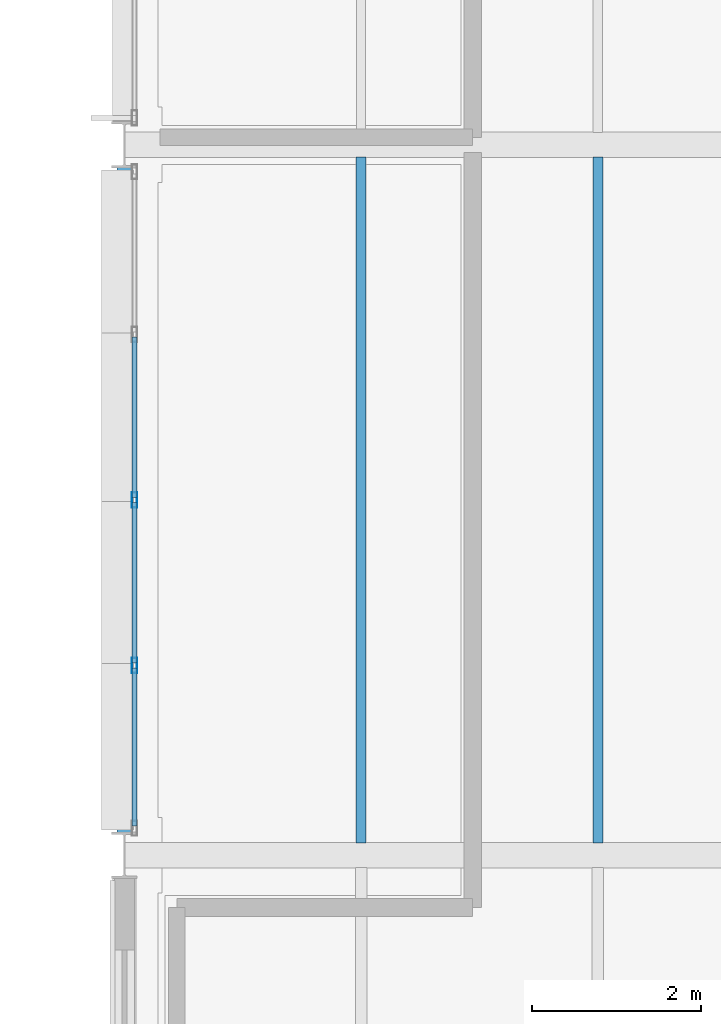
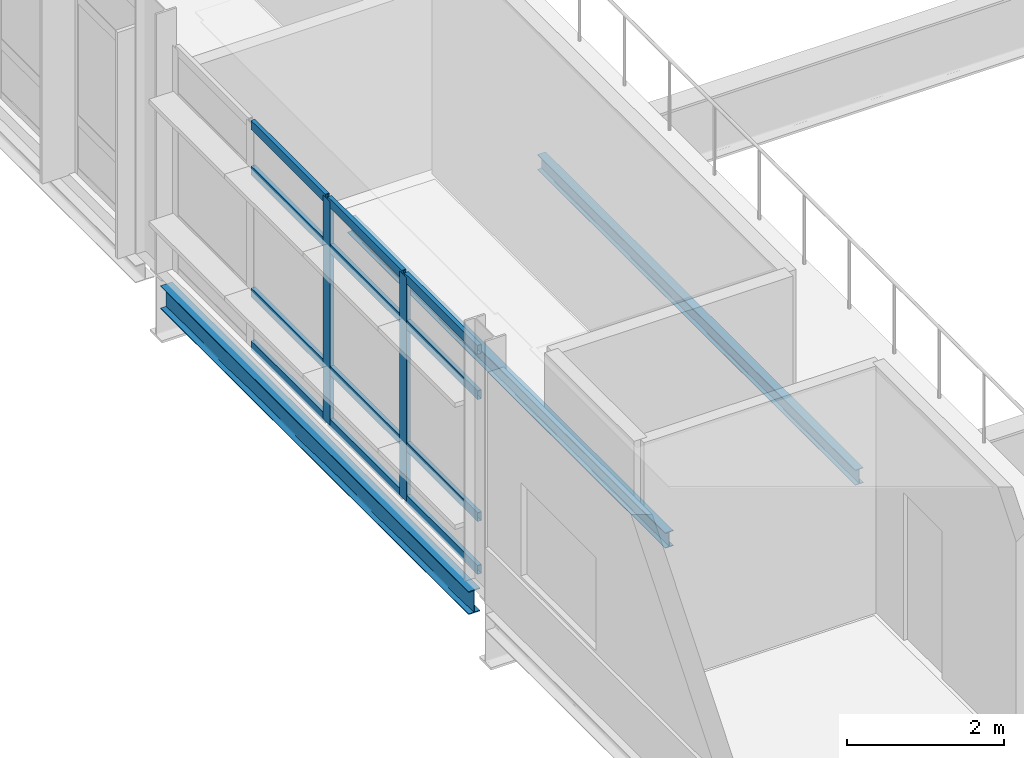
# One storey, part 21 of 131: 14 members, 3 beams, 1 element without a shape of its own.
"""IFC4 building model written with IfcOpenShell, lengths in metres."""

from ifc_helpers import new_model, si_unit, direction, frame, origin, origin_2d, place, context, subcontext, project, spatial, hollow_rectangle, i_section, extrude, material, material_profile, profile_set, type_object, element, aggregate, save


model = new_model("IFC4")

# Units and contexts
model_context = context("Model", 3, precision=1e-05, world=origin(), true_north=direction((0.0, 1.0)))
body_context = subcontext(model_context, "Body", "Model", "MODEL_VIEW")
ifc_project = project(units=[si_unit("LENGTHUNIT", "METRE"), si_unit("AREAUNIT", "SQUARE_METRE"), si_unit("VOLUMEUNIT", "CUBIC_METRE"), si_unit("PLANEANGLEUNIT", "RADIAN"), si_unit("MASSUNIT", "GRAM", prefix="KILO")], contexts=[model_context])

# Site, building, storey
site_placement = place(None, origin())
site = spatial("IfcSite", under=ifc_project, at=site_placement, CompositionType="ELEMENT")
building_placement = place(site_placement, origin())
building = spatial("IfcBuilding", under=site, at=building_placement, Name="Mersafa Astral City Hall", CompositionType="ELEMENT")
storey_placement = place(building_placement, frame((0.0, 0.0, 13.949951171875)))
storey = spatial("IfcBuildingStorey", under=building, at=storey_placement, Name="L03", CompositionType="ELEMENT", Elevation=13.949951171875)

# Curtain wall, members
ifc_material_1 = material(Name="Anodised bronze aluminium framing", Category="aluminium")
curtain_wall_type = type_object("IfcCurtainWallType", Name="ENV-CW-2", PredefinedType="USERDEFINED", material=ifc_material_1)
curtain_wall_placement = place(storey_placement, origin())
curtain_wall = element("IfcCurtainWall", 1, at=curtain_wall_placement, inside=storey, type_object=curtain_wall_type, Name="L03 Unitised solar curtain wall 187", ObjectType="UNITISED CURTAIN WALL", PredefinedType="USERDEFINED")
ifc_material_profile_1 = material_profile(ifc_material_1, hollow_rectangle(XDim=0.06005859375, YDim=0.179931640625, WallThickness=0.00390625, at=origin_2d()), Name="RHS 60x180x4")
ifc_profile_set_1 = profile_set([ifc_material_profile_1], Name="Anodised bronze aluminium framing")
member_type_1 = type_object("IfcMemberType", Name="ENV-CW-MUL-1", PredefinedType="MULLION", material=ifc_profile_set_1)
member_1_placement = place(storey_placement, frame((92.52001953125, 63.0, -0.001953125), z_axis=(0.0, 0.0, 1.0), x_axis=(1.0, 0.0, 0.0)))
member_1 = element("IfcMember", 2, at=member_1_placement, type_object=member_type_1, Name="CW-2 mullion 3", PredefinedType="MULLION", context=body_context, shape_type="SweptSolid", body=[
    extrude(hollow_rectangle(XDim=0.06005859375, YDim=0.179931640625, WallThickness=0.00390625, at=origin_2d()), origin(), (0.0, 0.0, 1.0), 3.489013671875),
])
member_2_placement = place(storey_placement, frame((92.52001953125, 61.04345703125, -0.001953125), z_axis=(0.0, 0.0, 1.0), x_axis=(1.0, 0.0, 0.0)))
member_2 = element("IfcMember", 3, at=member_2_placement, type_object=member_type_1, Name="CW-2 mullion 4", PredefinedType="MULLION", context=body_context, shape_type="SweptSolid", body=[
    extrude(hollow_rectangle(XDim=0.06005859375, YDim=0.179931640625, WallThickness=0.00390625, at=origin_2d()), origin(), (0.0, 0.0, 1.0), 3.489013671875),
])
ifc_material_profile_2 = material_profile(ifc_material_1, hollow_rectangle(XDim=0.06005859375, YDim=0.139892578125, WallThickness=0.00390625, at=origin_2d()), Name="RHS 60x140x4")
ifc_profile_set_2 = profile_set([ifc_material_profile_2], Name="Anodised bronze aluminium framing")
member_type_2 = type_object("IfcMemberType", Name="ENV-CW-TRN-1", PredefinedType="USERDEFINED", material=ifc_profile_set_2)
member_3_placement = place(storey_placement, frame((92.52001953125, 64.926513671875, 0.028076171875), z_axis=(0.0, -1.0, 0.0), x_axis=(1.0, 0.0, 0.0)))
member_3 = element("IfcMember", 4, at=member_3_placement, type_object=member_type_2, Name="CW-2 transom 2.1", ObjectType="TRANSOM", PredefinedType="USERDEFINED", context=body_context, shape_type="SweptSolid", body=[
    extrude(hollow_rectangle(XDim=0.06005859375, YDim=0.139892578125, WallThickness=0.00390625, at=origin_2d()), origin(), (0.0, 0.0, 1.0), 1.896484375),
])
member_4_placement = place(storey_placement, frame((92.52001953125, 64.926513671875, 0.85009765625), z_axis=(0.0, -1.0, 0.0), x_axis=(1.0, 0.0, 0.0)))
member_4 = element("IfcMember", 5, at=member_4_placement, type_object=member_type_2, Name="CW-2 transom 2.2", ObjectType="TRANSOM", PredefinedType="USERDEFINED", context=body_context, shape_type="SweptSolid", body=[
    extrude(hollow_rectangle(XDim=0.06005859375, YDim=0.139892578125, WallThickness=0.00390625, at=origin_2d()), origin(), (0.0, 0.0, 1.0), 1.896484375),
])
member_5_placement = place(storey_placement, frame((92.52001953125, 64.926513671875, 2.75), z_axis=(0.0, -1.0, 0.0), x_axis=(1.0, 0.0, 0.0)))
member_5 = element("IfcMember", 6, at=member_5_placement, type_object=member_type_2, Name="CW-2 transom 2.3", ObjectType="TRANSOM", PredefinedType="USERDEFINED", context=body_context, shape_type="SweptSolid", body=[
    extrude(hollow_rectangle(XDim=0.06005859375, YDim=0.139892578125, WallThickness=0.00390625, at=origin_2d()), origin(), (0.0, 0.0, 1.0), 1.896484375),
])
member_6_placement = place(storey_placement, frame((92.52001953125, 64.926513671875, 3.45703125), z_axis=(0.0, -1.0, 0.0), x_axis=(1.0, 0.0, 0.0)))
member_6 = element("IfcMember", 7, at=member_6_placement, type_object=member_type_2, Name="CW-2 transom 2.4", ObjectType="TRANSOM", PredefinedType="USERDEFINED", context=body_context, shape_type="SweptSolid", body=[
    extrude(hollow_rectangle(XDim=0.06005859375, YDim=0.139892578125, WallThickness=0.00390625, at=origin_2d()), origin(), (0.0, 0.0, 1.0), 1.896484375),
])
member_7_placement = place(storey_placement, frame((92.52001953125, 62.969970703125, 0.028076171875), z_axis=(0.0, -1.0, 0.0), x_axis=(1.0, 0.0, 0.0)))
member_7 = element("IfcMember", 8, at=member_7_placement, type_object=member_type_2, Name="CW-2 transom 3.1", ObjectType="TRANSOM", PredefinedType="USERDEFINED", context=body_context, shape_type="SweptSolid", body=[
    extrude(hollow_rectangle(XDim=0.06005859375, YDim=0.139892578125, WallThickness=0.00390625, at=origin_2d()), origin(), (0.0, 0.0, 1.0), 1.896484375),
])
member_8_placement = place(storey_placement, frame((92.52001953125, 62.969970703125, 0.85009765625), z_axis=(0.0, -1.0, 0.0), x_axis=(1.0, 0.0, 0.0)))
member_8 = element("IfcMember", 9, at=member_8_placement, type_object=member_type_2, Name="CW-2 transom 3.2", ObjectType="TRANSOM", PredefinedType="USERDEFINED", context=body_context, shape_type="SweptSolid", body=[
    extrude(hollow_rectangle(XDim=0.06005859375, YDim=0.139892578125, WallThickness=0.00390625, at=origin_2d()), origin(), (0.0, 0.0, 1.0), 1.896484375),
])
member_9_placement = place(storey_placement, frame((92.52001953125, 62.969970703125, 2.75), z_axis=(0.0, -1.0, 0.0), x_axis=(1.0, 0.0, 0.0)))
member_9 = element("IfcMember", 10, at=member_9_placement, type_object=member_type_2, Name="CW-2 transom 3.3", ObjectType="TRANSOM", PredefinedType="USERDEFINED", context=body_context, shape_type="SweptSolid", body=[
    extrude(hollow_rectangle(XDim=0.06005859375, YDim=0.139892578125, WallThickness=0.00390625, at=origin_2d()), origin(), (0.0, 0.0, 1.0), 1.896484375),
])
member_10_placement = place(storey_placement, frame((92.52001953125, 62.969970703125, 3.45703125), z_axis=(0.0, -1.0, 0.0), x_axis=(1.0, 0.0, 0.0)))
member_10 = element("IfcMember", 11, at=member_10_placement, type_object=member_type_2, Name="CW-2 transom 3.4", ObjectType="TRANSOM", PredefinedType="USERDEFINED", context=body_context, shape_type="SweptSolid", body=[
    extrude(hollow_rectangle(XDim=0.06005859375, YDim=0.139892578125, WallThickness=0.00390625, at=origin_2d()), origin(), (0.0, 0.0, 1.0), 1.896484375),
])
member_11_placement = place(storey_placement, frame((92.52001953125, 61.013427734375, 0.028076171875), z_axis=(0.0, -1.0, 0.0), x_axis=(1.0, 0.0, 0.0)))
member_11 = element("IfcMember", 12, at=member_11_placement, type_object=member_type_2, Name="CW-2 transom 4.1", ObjectType="TRANSOM", PredefinedType="USERDEFINED", context=body_context, shape_type="SweptSolid", body=[
    extrude(hollow_rectangle(XDim=0.06005859375, YDim=0.139892578125, WallThickness=0.00390625, at=origin_2d()), origin(), (0.0, 0.0, 1.0), 1.866455078125),
])
member_12_placement = place(storey_placement, frame((92.52001953125, 61.013427734375, 0.85009765625), z_axis=(0.0, -1.0, 0.0), x_axis=(1.0, 0.0, 0.0)))
member_12 = element("IfcMember", 13, at=member_12_placement, type_object=member_type_2, Name="CW-2 transom 4.2", ObjectType="TRANSOM", PredefinedType="USERDEFINED", context=body_context, shape_type="SweptSolid", body=[
    extrude(hollow_rectangle(XDim=0.06005859375, YDim=0.139892578125, WallThickness=0.00390625, at=origin_2d()), origin(), (0.0, 0.0, 1.0), 1.866455078125),
])
member_13_placement = place(storey_placement, frame((92.52001953125, 61.013427734375, 2.75), z_axis=(0.0, -1.0, 0.0), x_axis=(1.0, 0.0, 0.0)))
member_13 = element("IfcMember", 14, at=member_13_placement, type_object=member_type_2, Name="CW-2 transom 4.3", ObjectType="TRANSOM", PredefinedType="USERDEFINED", context=body_context, shape_type="SweptSolid", body=[
    extrude(hollow_rectangle(XDim=0.06005859375, YDim=0.139892578125, WallThickness=0.00390625, at=origin_2d()), origin(), (0.0, 0.0, 1.0), 1.866455078125),
])
member_14_placement = place(storey_placement, frame((92.52001953125, 61.013427734375, 3.45703125), z_axis=(0.0, -1.0, 0.0), x_axis=(1.0, 0.0, 0.0)))
member_14 = element("IfcMember", 15, at=member_14_placement, type_object=member_type_2, Name="CW-2 transom 4.4", ObjectType="TRANSOM", PredefinedType="USERDEFINED", context=body_context, shape_type="SweptSolid", body=[
    extrude(hollow_rectangle(XDim=0.06005859375, YDim=0.139892578125, WallThickness=0.00390625, at=origin_2d()), origin(), (0.0, 0.0, 1.0), 1.866455078125),
])
aggregate(curtain_wall, [member_1, member_2, member_3, member_4, member_5, member_6, member_7, member_8, member_9, member_10, member_11, member_12, member_13, member_14])

# Beams
ifc_material_2 = material(Name="Steel S355", Category="steel")
ifc_material_profile_3 = material_profile(ifc_material_2, i_section(OverallWidth=0.1201171875, OverallDepth=0.239990234375, WebThickness=0.006103515625, FlangeThickness=0.009765625, FilletRadius=0.014892578125, at=origin_2d()), Name="IPE 240")
ifc_profile_set_3 = profile_set([ifc_material_profile_3], Name="Steel S355")
beam_type_1 = type_object("IfcBeamType", Name="STR-BM-JOIST-IPE240", PredefinedType="JOIST", material=ifc_profile_set_3)
for number, where, z_axis, x_axis, name in (
    (16, (95.199951171875, 58.945068359375, -0.320068359375), (0.0, 1.0, 0.0), (-1.0, 0.0, 0.0), "L03 Composite secondary floor joist 584"),
    (17, (98.0, 58.945068359375, -0.320068359375), (0.0, 1.0, 0.0), (-1.0, 0.0, 0.0), "L03 Composite secondary floor joist 585"),
):
    element("IfcBeam", number, at=place(storey_placement, frame(where, z_axis=z_axis, x_axis=x_axis)), inside=storey, type_object=beam_type_1, Name=name, PredefinedType="JOIST", context=body_context, shape_type="SweptSolid", body=[
        extrude(i_section(OverallWidth=0.1201171875, OverallDepth=0.239990234375, WebThickness=0.006103515625, FlangeThickness=0.009765625, FilletRadius=0.014892578125, at=origin_2d()), origin(), (0.0, 0.0, 1.0), 8.10986328125),
    ])
ifc_material_profile_4 = material_profile(ifc_material_2, i_section(OverallWidth=0.169921875, OverallDepth=0.360107421875, WebThickness=0.008056640625, FlangeThickness=0.0126953125, FilletRadius=0.01806640625, at=origin_2d()), Name="IPE 360")
ifc_profile_set_4 = profile_set([ifc_material_profile_4], Name="Steel S355")
beam_type_2 = type_object("IfcBeamType", Name="STR-BM-SPANDREL-IPE360", PredefinedType="SPANDREL", material=ifc_profile_set_4)
beam_placement = place(storey_placement, frame((92.39990234375, 59.070068359375, -0.3798828125), z_axis=(0.0, 1.0, 0.0), x_axis=(-1.0, 0.0, 0.0)))
element("IfcBeam", 18, at=beam_placement, inside=storey, type_object=beam_type_2, Name="L03 Primary girder Y 11-7", PredefinedType="SPANDREL", context=body_context, shape_type="SweptSolid", body=[
    extrude(i_section(OverallWidth=0.169921875, OverallDepth=0.360107421875, WebThickness=0.008056640625, FlangeThickness=0.0126953125, FilletRadius=0.01806640625, at=origin_2d()), origin(), (0.0, 0.0, 1.0), 7.85986328125),
])

save(model, "model.ifc")
